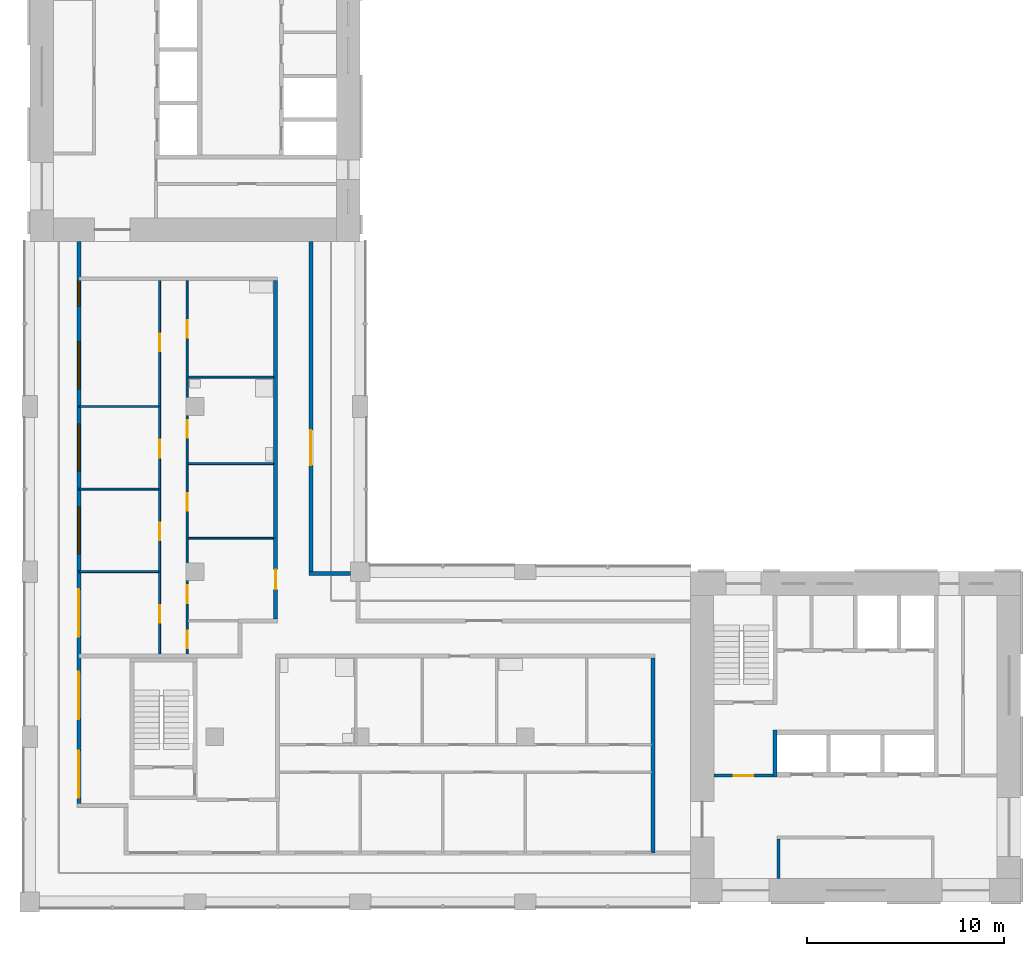
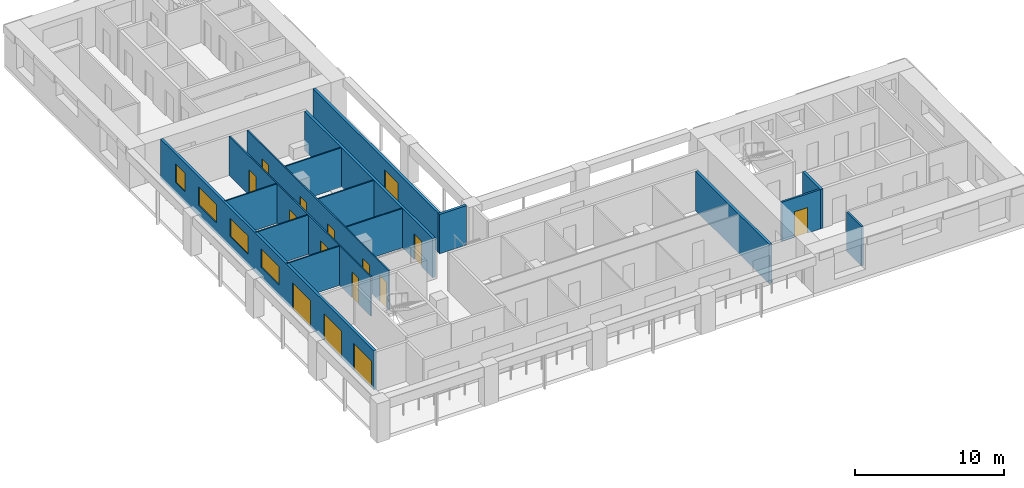
# One storey, part 3 of 9: 16 walls, 15 doors, 4 windows, 19 openings.
"""IFC4 building model written with IfcOpenShell, lengths in metres."""

from ifc_helpers import new_model, si_unit, direction, frame, frame_2d, origin, place, context, subcontext, project, spatial, rectangle, extrude, material, layer, layer_set, type_object, element, fill, save


model = new_model("IFC4")

# Units and contexts
model_context = context("Model", 3, precision=1e-05, world=origin(), true_north=direction((0.0, 1.0)))
body_context = subcontext(model_context, "Body", "Model", "MODEL_VIEW")
ifc_project = project(units=[si_unit("LENGTHUNIT", "METRE"), si_unit("AREAUNIT", "SQUARE_METRE"), si_unit("VOLUMEUNIT", "CUBIC_METRE"), si_unit("PLANEANGLEUNIT", "RADIAN"), si_unit("MASSUNIT", "GRAM", prefix="KILO")], contexts=[model_context])

# Site, building, storey
site_placement = place(None, origin())
site = spatial("IfcSite", under=ifc_project, at=site_placement, CompositionType="ELEMENT")
building_placement = place(site_placement, origin())
building = spatial("IfcBuilding", under=site, at=building_placement, Name="Vermilion Gate Residences", CompositionType="ELEMENT")
storey_placement = place(building_placement, frame((0.0, 0.0, 245.699951171875)))
storey = spatial("IfcBuildingStorey", under=building, at=storey_placement, Name="L64", CompositionType="ELEMENT", Elevation=245.699951171875)

# Wall
ifc_material_1 = material(Name="Masonry blockwork", Category="masonry")
ifc_layer_1 = layer(ifc_material_1, 0.14990234375)
ifc_layer_set_1 = layer_set([ifc_layer_1], Name="BLOCKWORK PARTITION 150 EI 120")
wall_type_1 = type_object("IfcWallType", Name="BLOCKWORK PARTITION 150 EI 120", PredefinedType="PARTITIONING", material=ifc_layer_set_1)
wall_1_placement = place(storey_placement, frame((46.47509765625, 9.60009765625, 0.0), z_axis=(0.0, 0.0, 1.0), x_axis=(0.0, 1.0, 0.0)))
element("IfcWall", 1, at=wall_1_placement, inside=storey, type_object=wall_type_1, Name="Core room partition A64-RW-W", PredefinedType="PARTITIONING", context=body_context, shape_type="SweptSolid", body=[
    extrude(rectangle(XDim=2.0, YDim=0.14990234375, at=frame_2d((1.0, 0.0))), origin(), (0.0, 0.0, 1.0), 3.219970703125),
])

# Wall, opening, door
wall_2_placement = place(storey_placement, frame((43.199951171875, 14.824951171875, 0.0), z_axis=(0.0, 0.0, 1.0), x_axis=(1.0, 0.0, 0.0)))
wall_2 = element("IfcWall", 2, at=wall_2_placement, inside=storey, type_object=wall_type_1, Name="Core room partition A64-VW-S", PredefinedType="PARTITIONING", context=body_context, shape_type="SweptSolid", body=[
    extrude(rectangle(XDim=3.0, YDim=0.14990234375, at=frame_2d((1.5, 0.0))), origin(), (0.0, 0.0, 1.0), 3.219970703125),
])
opening_1_placement = place(wall_2_placement, frame((1.0, 0.0, 0.0)))
opening_1 = element("IfcOpeningElement", 3, at=opening_1_placement, cuts=wall_2, Name="Opening DK64010", PredefinedType="OPENING", context=body_context, shape_type="SweptSolid", body=[
    extrude(rectangle(XDim=1.0, YDim=2.10009765625, at=frame_2d((0.5, 1.050048828125))), frame((0.0, 0.0849609375, 0.0), z_axis=(0.0, -1.0, 0.0), x_axis=(1.0, 0.0, 0.0)), (0.0, 0.0, 1.0), 0.169921875),
])
ifc_material_2 = material(Name="Steel", Category="steel")
door_type_1 = type_object("IfcDoorType", Name="FIRE DOOR FD60 1000 X 2100", OperationType="SINGLE_SWING_LEFT", PredefinedType="DOOR", material=ifc_material_2)
door_1_placement = place(opening_1_placement, frame((1.0, 0.0, 0.0), z_axis=(0.0, 0.0, 1.0), x_axis=(-1.0, 0.0, 0.0)))
door_1 = element("IfcDoor", 4, at=door_1_placement, inside=storey, type_object=door_type_1, Name="Stair vestibule door A64", OperationType="SINGLE_SWING_RIGHT", OverallHeight=2.10009765625, OverallWidth=1.0, PredefinedType="DOOR", context=body_context, shape_type="SweptSolid", body=[
    extrude(rectangle(XDim=1.0, YDim=2.10009765625, at=frame_2d((0.5, 1.050048828125))), frame((0.0, 0.02490234375, 0.0), z_axis=(0.0, -1.0, 0.0), x_axis=(1.0, 0.0, 0.0)), (0.0, 0.0, 1.0), 0.050048828125),
])
fill(opening_1, door_1)

# Wall, openings, doors, windows
ifc_material_3 = material(Name="Insulated steel stud wall with terracotta rainscreen", Category="masonry")
ifc_layer_2 = layer(ifc_material_3, 0.199951171875)
ifc_layer_set_2 = layer_set([ifc_layer_2], Name="EXTERNAL WALL 200 TERRACOTTA RAINSCREEN")
wall_type_2 = type_object("IfcWallType", Name="EXTERNAL WALL 200 TERRACOTTA RAINSCREEN", PredefinedType="SOLIDWALL", material=ifc_layer_set_2)
wall_3_placement = place(storey_placement, frame((10.89990234375, 42.0, 0.0), z_axis=(0.0, 0.0, 1.0), x_axis=(0.0, -1.0, 0.0)))
wall_3 = element("IfcWall", 5, at=wall_3_placement, inside=storey, type_object=wall_type_2, Name="External wall", PredefinedType="SOLIDWALL", context=body_context, shape_type="SweptSolid", body=[
    extrude(rectangle(XDim=28.60009765625, YDim=0.199951171875, at=frame_2d((14.300048828125, 0.0))), origin(), (0.0, 0.0, 1.0), 3.219970703125),
])
opening_2_placement = place(wall_3_placement, frame((25.89990234375, 0.0, 0.0)))
opening_2 = element("IfcOpeningElement", 6, at=opening_2_placement, cuts=wall_3, Name="Opening DE64001", PredefinedType="OPENING", context=body_context, shape_type="SweptSolid", body=[
    extrude(rectangle(XDim=2.39990234375, YDim=2.199951171875, at=frame_2d((1.199951171875, 1.10009765625))), frame((0.0, 0.10986328125, 0.0), z_axis=(0.0, -1.0, 0.0), x_axis=(1.0, 0.0, 0.0)), (0.0, 0.0, 1.0), 0.219970703125),
])
opening_3_placement = place(wall_3_placement, frame((21.89990234375, 0.0, 0.0)))
opening_3 = element("IfcOpeningElement", 7, at=opening_3_placement, cuts=wall_3, Name="Opening DE64002", PredefinedType="OPENING", context=body_context, shape_type="SweptSolid", body=[
    extrude(rectangle(XDim=2.39990234375, YDim=2.199951171875, at=frame_2d((1.199951171875, 1.10009765625))), frame((0.0, 0.10986328125, 0.0), z_axis=(0.0, -1.0, 0.0), x_axis=(1.0, 0.0, 0.0)), (0.0, 0.0, 1.0), 0.219970703125),
])
opening_4_placement = place(wall_3_placement, frame((17.699951171875, 0.0, 0.0)))
opening_4 = element("IfcOpeningElement", 8, at=opening_4_placement, cuts=wall_3, Name="Opening DE64003", PredefinedType="OPENING", context=body_context, shape_type="SweptSolid", body=[
    extrude(rectangle(XDim=2.39990234375, YDim=2.199951171875, at=frame_2d((1.199951171875, 1.10009765625))), frame((0.0, 0.10986328125, 0.0), z_axis=(0.0, -1.0, 0.0), x_axis=(1.0, 0.0, 0.0)), (0.0, 0.0, 1.0), 0.219970703125),
])
opening_5_placement = place(wall_3_placement, frame((13.5, 0.0, 0.89990234375)))
opening_5 = element("IfcOpeningElement", 9, at=opening_5_placement, cuts=wall_3, Name="Opening WE64004", PredefinedType="OPENING", context=body_context, shape_type="SweptSolid", body=[
    extrude(rectangle(XDim=2.39990234375, YDim=1.5, at=frame_2d((1.199951171875, 0.75))), frame((0.0, 0.10986328125, 0.0), z_axis=(0.0, -1.0, 0.0), x_axis=(1.0, 0.0, 0.0)), (0.0, 0.0, 1.0), 0.219970703125),
])
opening_6_placement = place(wall_3_placement, frame((9.300048828125, 0.0, 0.89990234375)))
opening_6 = element("IfcOpeningElement", 10, at=opening_6_placement, cuts=wall_3, Name="Opening WE64005", PredefinedType="OPENING", context=body_context, shape_type="SweptSolid", body=[
    extrude(rectangle(XDim=2.39990234375, YDim=1.5, at=frame_2d((1.199951171875, 0.75))), frame((0.0, 0.10986328125, 0.0), z_axis=(0.0, -1.0, 0.0), x_axis=(1.0, 0.0, 0.0)), (0.0, 0.0, 1.0), 0.219970703125),
])
opening_7_placement = place(wall_3_placement, frame((5.10009765625, 0.0, 0.89990234375)))
opening_7 = element("IfcOpeningElement", 11, at=opening_7_placement, cuts=wall_3, Name="Opening WE64006", PredefinedType="OPENING", context=body_context, shape_type="SweptSolid", body=[
    extrude(rectangle(XDim=2.39990234375, YDim=1.5, at=frame_2d((1.199951171875, 0.75))), frame((0.0, 0.10986328125, 0.0), z_axis=(0.0, -1.0, 0.0), x_axis=(1.0, 0.0, 0.0)), (0.0, 0.0, 1.0), 0.219970703125),
])
opening_8_placement = place(wall_3_placement, frame((2.0, 0.0, 0.89990234375)))
opening_8 = element("IfcOpeningElement", 12, at=opening_8_placement, cuts=wall_3, Name="Opening WE64007", PredefinedType="OPENING", context=body_context, shape_type="SweptSolid", body=[
    extrude(rectangle(XDim=1.300048828125, YDim=1.5, at=frame_2d((0.64990234375, 0.75))), frame((0.0, 0.10986328125, 0.0), z_axis=(0.0, -1.0, 0.0), x_axis=(1.0, 0.0, 0.0)), (0.0, 0.0, 1.0), 0.219970703125),
])
ifc_material_4 = material(Name="Aluminium and clear glass", Category="aluminium")
door_type_2 = type_object("IfcDoorType", Name="SLIDING GLAZED DOOR 2400 X 2200", OperationType="DOUBLE_DOOR_SLIDING", PredefinedType="DOOR", material=ifc_material_4)
door_2_placement = place(opening_2_placement, origin())
door_2 = element("IfcDoor", 13, at=door_2_placement, inside=storey, type_object=door_type_2, Name="Loggia sliding door", OperationType="DOUBLE_DOOR_SLIDING", OverallHeight=2.199951171875, OverallWidth=2.39990234375, PredefinedType="DOOR", context=body_context, shape_type="SweptSolid", body=[
    extrude(rectangle(XDim=2.39990234375, YDim=2.199951171875, at=frame_2d((1.199951171875, 1.10009765625))), frame((0.0, 0.02490234375, 0.0), z_axis=(0.0, -1.0, 0.0), x_axis=(1.0, 0.0, 0.0)), (0.0, 0.0, 1.0), 0.050048828125),
])
fill(opening_2, door_2)
door_3_placement = place(opening_3_placement, origin())
door_3 = element("IfcDoor", 14, at=door_3_placement, inside=storey, type_object=door_type_2, Name="Loggia sliding door", OperationType="DOUBLE_DOOR_SLIDING", OverallHeight=2.199951171875, OverallWidth=2.39990234375, PredefinedType="DOOR", context=body_context, shape_type="SweptSolid", body=[
    extrude(rectangle(XDim=2.39990234375, YDim=2.199951171875, at=frame_2d((1.199951171875, 1.10009765625))), frame((0.0, 0.02490234375, 0.0), z_axis=(0.0, -1.0, 0.0), x_axis=(1.0, 0.0, 0.0)), (0.0, 0.0, 1.0), 0.050048828125),
])
fill(opening_3, door_3)
door_4_placement = place(opening_4_placement, origin())
door_4 = element("IfcDoor", 15, at=door_4_placement, inside=storey, type_object=door_type_2, Name="Loggia sliding door", OperationType="DOUBLE_DOOR_SLIDING", OverallHeight=2.199951171875, OverallWidth=2.39990234375, PredefinedType="DOOR", context=body_context, shape_type="SweptSolid", body=[
    extrude(rectangle(XDim=2.39990234375, YDim=2.199951171875, at=frame_2d((1.199951171875, 1.10009765625))), frame((0.0, 0.02490234375, 0.0), z_axis=(0.0, -1.0, 0.0), x_axis=(1.0, 0.0, 0.0)), (0.0, 0.0, 1.0), 0.050048828125),
])
fill(opening_4, door_4)
ifc_material_5 = material(Name="Aluminium and clear glass", Category="aluminium")
window_type_1 = type_object("IfcWindowType", Name="WINDOW 1300 X 1500", PartitioningType="SINGLE_PANEL", PredefinedType="WINDOW", material=ifc_material_5)
window_1_placement = place(opening_8_placement, origin())
window_1 = element("IfcWindow", 16, at=window_1_placement, inside=storey, type_object=window_type_1, Name="Window", OverallHeight=1.5, OverallWidth=1.300048828125, PartitioningType="SINGLE_PANEL", PredefinedType="WINDOW", context=body_context, shape_type="SweptSolid", body=[
    extrude(rectangle(XDim=1.300048828125, YDim=1.5, at=frame_2d((0.64990234375, 0.75))), frame((0.0, 0.030029296875, 0.0), z_axis=(0.0, -1.0, 0.0), x_axis=(1.0, 0.0, 0.0)), (0.0, 0.0, 1.0), 0.06005859375),
])
fill(opening_8, window_1)
ifc_material_6 = material(Name="Aluminium and clear glass", Category="aluminium")
window_type_2 = type_object("IfcWindowType", Name="WINDOW 2400 X 1500", PartitioningType="SINGLE_PANEL", PredefinedType="WINDOW", material=ifc_material_6)
window_2_placement = place(opening_5_placement, origin())
window_2 = element("IfcWindow", 17, at=window_2_placement, inside=storey, type_object=window_type_2, Name="Window", OverallHeight=1.5, OverallWidth=2.39990234375, PartitioningType="SINGLE_PANEL", PredefinedType="WINDOW", context=body_context, shape_type="SweptSolid", body=[
    extrude(rectangle(XDim=2.39990234375, YDim=1.5, at=frame_2d((1.199951171875, 0.75))), frame((0.0, 0.030029296875, 0.0), z_axis=(0.0, -1.0, 0.0), x_axis=(1.0, 0.0, 0.0)), (0.0, 0.0, 1.0), 0.06005859375),
])
fill(opening_5, window_2)
window_3_placement = place(opening_6_placement, origin())
window_3 = element("IfcWindow", 18, at=window_3_placement, inside=storey, type_object=window_type_2, Name="Window", OverallHeight=1.5, OverallWidth=2.39990234375, PartitioningType="SINGLE_PANEL", PredefinedType="WINDOW", context=body_context, shape_type="SweptSolid", body=[
    extrude(rectangle(XDim=2.39990234375, YDim=1.5, at=frame_2d((1.199951171875, 0.75))), frame((0.0, 0.030029296875, 0.0), z_axis=(0.0, -1.0, 0.0), x_axis=(1.0, 0.0, 0.0)), (0.0, 0.0, 1.0), 0.06005859375),
])
fill(opening_6, window_3)
window_4_placement = place(opening_7_placement, origin())
window_4 = element("IfcWindow", 19, at=window_4_placement, inside=storey, type_object=window_type_2, Name="Window", OverallHeight=1.5, OverallWidth=2.39990234375, PartitioningType="SINGLE_PANEL", PredefinedType="WINDOW", context=body_context, shape_type="SweptSolid", body=[
    extrude(rectangle(XDim=2.39990234375, YDim=1.5, at=frame_2d((1.199951171875, 0.75))), frame((0.0, 0.030029296875, 0.0), z_axis=(0.0, -1.0, 0.0), x_axis=(1.0, 0.0, 0.0)), (0.0, 0.0, 1.0), 0.06005859375),
])
fill(opening_7, window_4)

# Wall
wall_4_placement = place(storey_placement, frame((24.699951171875, 25.10009765625, 0.0), z_axis=(0.0, 0.0, 1.0), x_axis=(-1.0, 0.0, 0.0)))
element("IfcWall", 20, at=wall_4_placement, inside=storey, type_object=wall_type_2, Name="External wall", PredefinedType="SOLIDWALL", context=body_context, shape_type="SweptSolid", body=[
    extrude(rectangle(XDim=2.099853515625, YDim=0.199951171875, at=frame_2d((1.0498046875, 0.0))), origin(), (0.0, 0.0, 1.0), 3.219970703125),
])

# Wall, opening, door
wall_5_placement = place(storey_placement, frame((22.699951171875, 25.199951171875, 0.0), z_axis=(0.0, 0.0, 1.0), x_axis=(0.0, 1.0, 0.0)))
wall_5 = element("IfcWall", 21, at=wall_5_placement, inside=storey, type_object=wall_type_2, Name="External wall", PredefinedType="SOLIDWALL", context=body_context, shape_type="SweptSolid", body=[
    extrude(rectangle(XDim=16.800048828125, YDim=0.199951171875, at=frame_2d((8.39990234375, 0.0))), origin(), (0.0, 0.0, 1.0), 3.219970703125),
])
opening_9_placement = place(wall_5_placement, frame((5.39990234375, 0.0, 0.0)))
opening_9 = element("IfcOpeningElement", 22, at=opening_9_placement, cuts=wall_5, Name="Opening DE64016", PredefinedType="OPENING", context=body_context, shape_type="SweptSolid", body=[
    extrude(rectangle(XDim=1.800048828125, YDim=2.39990234375, at=frame_2d((0.89990234375, 1.199951171875))), frame((0.0, 0.10986328125, 0.0), z_axis=(0.0, -1.0, 0.0), x_axis=(1.0, 0.0, 0.0)), (0.0, 0.0, 1.0), 0.219970703125),
])
ifc_material_7 = material(Name="Aluminium and clear glass", Category="aluminium")
door_type_3 = type_object("IfcDoorType", Name="GLAZED EXTERNAL DOOR 1800 X 2400", OperationType="DOUBLE_DOOR_SINGLE_SWING", PredefinedType="DOOR", material=ifc_material_7)
door_5_placement = place(opening_9_placement, frame((1.800048828125, 0.0, 0.0), z_axis=(0.0, 0.0, 1.0), x_axis=(-1.0, 0.0, 0.0)))
door_5 = element("IfcDoor", 23, at=door_5_placement, inside=storey, type_object=door_type_3, Name="Gallery door", OperationType="DOUBLE_DOOR_SINGLE_SWING", OverallHeight=2.39990234375, OverallWidth=1.800048828125, PredefinedType="DOOR", context=body_context, shape_type="SweptSolid", body=[
    extrude(rectangle(XDim=1.800048828125, YDim=2.39990234375, at=frame_2d((0.89990234375, 1.199951171875))), frame((0.0, 0.02490234375, 0.0), z_axis=(0.0, -1.0, 0.0), x_axis=(1.0, 0.0, 0.0)), (0.0, 0.0, 1.0), 0.050048828125),
])
fill(opening_9, door_5)

# Walls
ifc_material_8 = material(Name="Plasterboard on steel studs", Category="steel")
ifc_layer_3 = layer(ifc_material_8, 0.10009765625)
ifc_layer_set_3 = layer_set([ifc_layer_3], Name="PARTITION 100")
wall_type_3 = type_object("IfcWallType", Name="PARTITION 100", PredefinedType="PARTITIONING", material=ifc_layer_set_3)
wall_6_placement = place(storey_placement, frame((10.89990234375, 25.199951171875, 0.0), z_axis=(0.0, 0.0, 1.0), x_axis=(1.0, 0.0, 0.0)))
element("IfcWall", 24, at=wall_6_placement, inside=storey, type_object=wall_type_3, Name="Partition", PredefinedType="PARTITIONING", context=body_context, shape_type="SweptSolid", body=[
    extrude(rectangle(XDim=4.050048828125, YDim=0.10009765625, at=frame_2d((2.02490234375, 0.0))), origin(), (0.0, 0.0, 1.0), 3.219970703125),
])
wall_7_placement = place(storey_placement, frame((16.449951171875, 26.89990234375, 0.0), z_axis=(0.0, 0.0, 1.0), x_axis=(1.0, 0.0, 0.0)))
element("IfcWall", 25, at=wall_7_placement, inside=storey, type_object=wall_type_3, Name="Partition", PredefinedType="PARTITIONING", context=body_context, shape_type="SweptSolid", body=[
    extrude(rectangle(XDim=4.35009765625, YDim=0.10009765625, at=frame_2d((2.175048828125, 0.0))), origin(), (0.0, 0.0, 1.0), 3.219970703125),
])
wall_8_placement = place(storey_placement, frame((10.89990234375, 29.39990234375, 0.0), z_axis=(0.0, 0.0, 1.0), x_axis=(1.0, 0.0, 0.0)))
element("IfcWall", 26, at=wall_8_placement, inside=storey, type_object=wall_type_3, Name="Partition", PredefinedType="PARTITIONING", context=body_context, shape_type="SweptSolid", body=[
    extrude(rectangle(XDim=4.050048828125, YDim=0.10009765625, at=frame_2d((2.02490234375, 0.0))), origin(), (0.0, 0.0, 1.0), 3.219970703125),
])
wall_9_placement = place(storey_placement, frame((16.449951171875, 30.699951171875, 0.0), z_axis=(0.0, 0.0, 1.0), x_axis=(1.0, 0.0, 0.0)))
element("IfcWall", 27, at=wall_9_placement, inside=storey, type_object=wall_type_3, Name="Partition", PredefinedType="PARTITIONING", context=body_context, shape_type="SweptSolid", body=[
    extrude(rectangle(XDim=4.35009765625, YDim=0.10009765625, at=frame_2d((2.175048828125, 0.0))), origin(), (0.0, 0.0, 1.0), 3.219970703125),
])
wall_10_placement = place(storey_placement, frame((10.89990234375, 33.60009765625, 0.0), z_axis=(0.0, 0.0, 1.0), x_axis=(1.0, 0.0, 0.0)))
element("IfcWall", 28, at=wall_10_placement, inside=storey, type_object=wall_type_3, Name="Partition", PredefinedType="PARTITIONING", context=body_context, shape_type="SweptSolid", body=[
    extrude(rectangle(XDim=4.050048828125, YDim=0.10009765625, at=frame_2d((2.02490234375, 0.0))), origin(), (0.0, 0.0, 1.0), 3.219970703125),
])
wall_11_placement = place(storey_placement, frame((16.449951171875, 35.10009765625, 0.0), z_axis=(0.0, 0.0, 1.0), x_axis=(1.0, 0.0, 0.0)))
element("IfcWall", 29, at=wall_11_placement, inside=storey, type_object=wall_type_3, Name="Partition", PredefinedType="PARTITIONING", context=body_context, shape_type="SweptSolid", body=[
    extrude(rectangle(XDim=4.35009765625, YDim=0.10009765625, at=frame_2d((2.175048828125, 0.0))), origin(), (0.0, 0.0, 1.0), 3.219970703125),
])

# Wall, openings, doors
wall_12_placement = place(storey_placement, frame((15.0, 21.0, 0.0), z_axis=(0.0, 0.0, 1.0), x_axis=(0.0, 1.0, 0.0)))
wall_12 = element("IfcWall", 30, at=wall_12_placement, inside=storey, type_object=wall_type_3, Name="Partition", PredefinedType="PARTITIONING", context=body_context, shape_type="SweptSolid", body=[
    extrude(rectangle(XDim=19.0, YDim=0.10009765625, at=frame_2d((9.5, 0.0))), origin(), (0.0, 0.0, 1.0), 3.219970703125),
])
opening_10_placement = place(wall_12_placement, frame((1.60009765625, 0.0, 0.0)))
opening_10 = element("IfcOpeningElement", 31, at=opening_10_placement, cuts=wall_12, Name="Opening DA64012", PredefinedType="OPENING", context=body_context, shape_type="SweptSolid", body=[
    extrude(rectangle(XDim=0.89990234375, YDim=2.10009765625, at=frame_2d((0.449951171875, 1.050048828125))), frame((0.0, 0.06005859375, 0.0), z_axis=(0.0, -1.0, 0.0), x_axis=(1.0, 0.0, 0.0)), (0.0, 0.0, 1.0), 0.1201171875),
])
opening_11_placement = place(wall_12_placement, frame((5.800048828125, 0.0, 0.0)))
opening_11 = element("IfcOpeningElement", 32, at=opening_11_placement, cuts=wall_12, Name="Opening DA64013", PredefinedType="OPENING", context=body_context, shape_type="SweptSolid", body=[
    extrude(rectangle(XDim=0.89990234375, YDim=2.10009765625, at=frame_2d((0.449951171875, 1.050048828125))), frame((0.0, 0.06005859375, 0.0), z_axis=(0.0, -1.0, 0.0), x_axis=(1.0, 0.0, 0.0)), (0.0, 0.0, 1.0), 0.1201171875),
])
opening_12_placement = place(wall_12_placement, frame((10.0, 0.0, 0.0)))
opening_12 = element("IfcOpeningElement", 33, at=opening_12_placement, cuts=wall_12, Name="Opening DA64014", PredefinedType="OPENING", context=body_context, shape_type="SweptSolid", body=[
    extrude(rectangle(XDim=0.89990234375, YDim=2.10009765625, at=frame_2d((0.449951171875, 1.050048828125))), frame((0.0, 0.06005859375, 0.0), z_axis=(0.0, -1.0, 0.0), x_axis=(1.0, 0.0, 0.0)), (0.0, 0.0, 1.0), 0.1201171875),
])
opening_13_placement = place(wall_12_placement, frame((15.39990234375, 0.0, 0.0)))
opening_13 = element("IfcOpeningElement", 34, at=opening_13_placement, cuts=wall_12, Name="Opening DA64015", PredefinedType="OPENING", context=body_context, shape_type="SweptSolid", body=[
    extrude(rectangle(XDim=0.89990234375, YDim=2.10009765625, at=frame_2d((0.449951171875, 1.050048828125))), frame((0.0, 0.06005859375, 0.0), z_axis=(0.0, -1.0, 0.0), x_axis=(1.0, 0.0, 0.0)), (0.0, 0.0, 1.0), 0.1201171875),
])
ifc_material_9 = material(Name="Timber", Category="wood")
door_type_4 = type_object("IfcDoorType", Name="INTERIOR DOOR 900 X 2100", OperationType="SINGLE_SWING_LEFT", PredefinedType="DOOR", material=ifc_material_9)
door_6_placement = place(opening_10_placement, origin())
door_6 = element("IfcDoor", 35, at=door_6_placement, inside=storey, type_object=door_type_4, Name="Interior door", OperationType="SINGLE_SWING_LEFT", OverallHeight=2.10009765625, OverallWidth=0.89990234375, PredefinedType="DOOR", context=body_context, shape_type="SweptSolid", body=[
    extrude(rectangle(XDim=0.89990234375, YDim=2.10009765625, at=frame_2d((0.449951171875, 1.050048828125))), frame((0.0, 0.02490234375, 0.0), z_axis=(0.0, -1.0, 0.0), x_axis=(1.0, 0.0, 0.0)), (0.0, 0.0, 1.0), 0.050048828125),
])
fill(opening_10, door_6)
door_7_placement = place(opening_11_placement, origin())
door_7 = element("IfcDoor", 36, at=door_7_placement, inside=storey, type_object=door_type_4, Name="Interior door", OperationType="SINGLE_SWING_LEFT", OverallHeight=2.10009765625, OverallWidth=0.89990234375, PredefinedType="DOOR", context=body_context, shape_type="SweptSolid", body=[
    extrude(rectangle(XDim=0.89990234375, YDim=2.10009765625, at=frame_2d((0.449951171875, 1.050048828125))), frame((0.0, 0.02490234375, 0.0), z_axis=(0.0, -1.0, 0.0), x_axis=(1.0, 0.0, 0.0)), (0.0, 0.0, 1.0), 0.050048828125),
])
fill(opening_11, door_7)
door_8_placement = place(opening_12_placement, origin())
door_8 = element("IfcDoor", 37, at=door_8_placement, inside=storey, type_object=door_type_4, Name="Interior door", OperationType="SINGLE_SWING_LEFT", OverallHeight=2.10009765625, OverallWidth=0.89990234375, PredefinedType="DOOR", context=body_context, shape_type="SweptSolid", body=[
    extrude(rectangle(XDim=0.89990234375, YDim=2.10009765625, at=frame_2d((0.449951171875, 1.050048828125))), frame((0.0, 0.02490234375, 0.0), z_axis=(0.0, -1.0, 0.0), x_axis=(1.0, 0.0, 0.0)), (0.0, 0.0, 1.0), 0.050048828125),
])
fill(opening_12, door_8)
door_9_placement = place(opening_13_placement, origin())
door_9 = element("IfcDoor", 38, at=door_9_placement, inside=storey, type_object=door_type_4, Name="Interior door", OperationType="SINGLE_SWING_RIGHT", OverallHeight=2.10009765625, OverallWidth=0.89990234375, PredefinedType="DOOR", context=body_context, shape_type="SweptSolid", body=[
    extrude(rectangle(XDim=0.89990234375, YDim=2.10009765625, at=frame_2d((0.449951171875, 1.050048828125))), frame((0.0, 0.02490234375, 0.0), z_axis=(0.0, -1.0, 0.0), x_axis=(1.0, 0.0, 0.0)), (0.0, 0.0, 1.0), 0.050048828125),
])
fill(opening_13, door_9)

wall_13_placement = place(storey_placement, frame((16.39990234375, 21.0, 0.0), z_axis=(0.0, 0.0, 1.0), x_axis=(0.0, 1.0, 0.0)))
wall_13 = element("IfcWall", 39, at=wall_13_placement, inside=storey, type_object=wall_type_3, Name="Partition", PredefinedType="PARTITIONING", context=body_context, shape_type="SweptSolid", body=[
    extrude(rectangle(XDim=19.0, YDim=0.10009765625, at=frame_2d((9.5, 0.0))), origin(), (0.0, 0.0, 1.0), 3.219970703125),
])
opening_14_placement = place(wall_13_placement, frame((2.60009765625, 0.0, 0.0)))
opening_14 = element("IfcOpeningElement", 40, at=opening_14_placement, cuts=wall_13, Name="Opening DA64016", PredefinedType="OPENING", context=body_context, shape_type="SweptSolid", body=[
    extrude(rectangle(XDim=0.89990234375, YDim=2.10009765625, at=frame_2d((0.449951171875, 1.050048828125))), frame((0.0, 0.06005859375, 0.0), z_axis=(0.0, -1.0, 0.0), x_axis=(1.0, 0.0, 0.0)), (0.0, 0.0, 1.0), 0.1201171875),
])
opening_15_placement = place(wall_13_placement, frame((0.300048828125, 0.0, 0.0)))
opening_15 = element("IfcOpeningElement", 41, at=opening_15_placement, cuts=wall_13, Name="Opening DA64017", PredefinedType="OPENING", context=body_context, shape_type="SweptSolid", body=[
    extrude(rectangle(XDim=0.89990234375, YDim=2.10009765625, at=frame_2d((0.449951171875, 1.050048828125))), frame((0.0, 0.06005859375, 0.0), z_axis=(0.0, -1.0, 0.0), x_axis=(1.0, 0.0, 0.0)), (0.0, 0.0, 1.0), 0.1201171875),
])
opening_16_placement = place(wall_13_placement, frame((7.300048828125, 0.0, 0.0)))
opening_16 = element("IfcOpeningElement", 42, at=opening_16_placement, cuts=wall_13, Name="Opening DA64018", PredefinedType="OPENING", context=body_context, shape_type="SweptSolid", body=[
    extrude(rectangle(XDim=0.89990234375, YDim=2.10009765625, at=frame_2d((0.449951171875, 1.050048828125))), frame((0.0, 0.06005859375, 0.0), z_axis=(0.0, -1.0, 0.0), x_axis=(1.0, 0.0, 0.0)), (0.0, 0.0, 1.0), 0.1201171875),
])
opening_17_placement = place(wall_13_placement, frame((11.0, 0.0, 0.0)))
opening_17 = element("IfcOpeningElement", 43, at=opening_17_placement, cuts=wall_13, Name="Opening DA64019", PredefinedType="OPENING", context=body_context, shape_type="SweptSolid", body=[
    extrude(rectangle(XDim=0.89990234375, YDim=2.10009765625, at=frame_2d((0.449951171875, 1.050048828125))), frame((0.0, 0.06005859375, 0.0), z_axis=(0.0, -1.0, 0.0), x_axis=(1.0, 0.0, 0.0)), (0.0, 0.0, 1.0), 0.1201171875),
])
opening_18_placement = place(wall_13_placement, frame((16.10009765625, 0.0, 0.0)))
opening_18 = element("IfcOpeningElement", 44, at=opening_18_placement, cuts=wall_13, Name="Opening DA64020", PredefinedType="OPENING", context=body_context, shape_type="SweptSolid", body=[
    extrude(rectangle(XDim=0.89990234375, YDim=2.10009765625, at=frame_2d((0.449951171875, 1.050048828125))), frame((0.0, 0.06005859375, 0.0), z_axis=(0.0, -1.0, 0.0), x_axis=(1.0, 0.0, 0.0)), (0.0, 0.0, 1.0), 0.1201171875),
])
door_10_placement = place(opening_14_placement, frame((0.89990234375, 0.0, 0.0), z_axis=(0.0, 0.0, 1.0), x_axis=(-1.0, 0.0, 0.0)))
door_10 = element("IfcDoor", 45, at=door_10_placement, inside=storey, type_object=door_type_4, Name="Interior door", OperationType="SINGLE_SWING_LEFT", OverallHeight=2.10009765625, OverallWidth=0.89990234375, PredefinedType="DOOR", context=body_context, shape_type="SweptSolid", body=[
    extrude(rectangle(XDim=0.89990234375, YDim=2.10009765625, at=frame_2d((0.449951171875, 1.050048828125))), frame((0.0, 0.02490234375, 0.0), z_axis=(0.0, -1.0, 0.0), x_axis=(1.0, 0.0, 0.0)), (0.0, 0.0, 1.0), 0.050048828125),
])
fill(opening_14, door_10)
door_11_placement = place(opening_15_placement, frame((0.89990234375, 0.0, 0.0), z_axis=(0.0, 0.0, 1.0), x_axis=(-1.0, 0.0, 0.0)))
door_11 = element("IfcDoor", 46, at=door_11_placement, inside=storey, type_object=door_type_4, Name="Interior door", OperationType="SINGLE_SWING_RIGHT", OverallHeight=2.10009765625, OverallWidth=0.89990234375, PredefinedType="DOOR", context=body_context, shape_type="SweptSolid", body=[
    extrude(rectangle(XDim=0.89990234375, YDim=2.10009765625, at=frame_2d((0.449951171875, 1.050048828125))), frame((0.0, 0.02490234375, 0.0), z_axis=(0.0, -1.0, 0.0), x_axis=(1.0, 0.0, 0.0)), (0.0, 0.0, 1.0), 0.050048828125),
])
fill(opening_15, door_11)
door_12_placement = place(opening_16_placement, frame((0.89990234375, 0.0, 0.0), z_axis=(0.0, 0.0, 1.0), x_axis=(-1.0, 0.0, 0.0)))
door_12 = element("IfcDoor", 47, at=door_12_placement, inside=storey, type_object=door_type_4, Name="Interior door", OperationType="SINGLE_SWING_RIGHT", OverallHeight=2.10009765625, OverallWidth=0.89990234375, PredefinedType="DOOR", context=body_context, shape_type="SweptSolid", body=[
    extrude(rectangle(XDim=0.89990234375, YDim=2.10009765625, at=frame_2d((0.449951171875, 1.050048828125))), frame((0.0, 0.02490234375, 0.0), z_axis=(0.0, -1.0, 0.0), x_axis=(1.0, 0.0, 0.0)), (0.0, 0.0, 1.0), 0.050048828125),
])
fill(opening_16, door_12)
door_13_placement = place(opening_17_placement, frame((0.89990234375, 0.0, 0.0), z_axis=(0.0, 0.0, 1.0), x_axis=(-1.0, 0.0, 0.0)))
door_13 = element("IfcDoor", 48, at=door_13_placement, inside=storey, type_object=door_type_4, Name="Interior door", OperationType="SINGLE_SWING_LEFT", OverallHeight=2.10009765625, OverallWidth=0.89990234375, PredefinedType="DOOR", context=body_context, shape_type="SweptSolid", body=[
    extrude(rectangle(XDim=0.89990234375, YDim=2.10009765625, at=frame_2d((0.449951171875, 1.050048828125))), frame((0.0, 0.02490234375, 0.0), z_axis=(0.0, -1.0, 0.0), x_axis=(1.0, 0.0, 0.0)), (0.0, 0.0, 1.0), 0.050048828125),
])
fill(opening_17, door_13)
door_14_placement = place(opening_18_placement, frame((0.89990234375, 0.0, 0.0), z_axis=(0.0, 0.0, 1.0), x_axis=(-1.0, 0.0, 0.0)))
door_14 = element("IfcDoor", 49, at=door_14_placement, inside=storey, type_object=door_type_4, Name="Interior door", OperationType="SINGLE_SWING_RIGHT", OverallHeight=2.10009765625, OverallWidth=0.89990234375, PredefinedType="DOOR", context=body_context, shape_type="SweptSolid", body=[
    extrude(rectangle(XDim=0.89990234375, YDim=2.10009765625, at=frame_2d((0.449951171875, 1.050048828125))), frame((0.0, 0.02490234375, 0.0), z_axis=(0.0, -1.0, 0.0), x_axis=(1.0, 0.0, 0.0)), (0.0, 0.0, 1.0), 0.050048828125),
])
fill(opening_18, door_14)

# Wall, opening, door
ifc_material_10 = material(Name="Fire-rated plasterboard on steel studs", Category="steel")
ifc_layer_4 = layer(ifc_material_10, 0.199951171875)
ifc_layer_set_4 = layer_set([ifc_layer_4], Name="PARTY WALL 200 EI 120")
wall_type_4 = type_object("IfcWallType", Name="PARTY WALL 200 EI 120", PredefinedType="PARTITIONING", material=ifc_layer_set_4)
wall_14_placement = place(storey_placement, frame((20.89990234375, 22.800048828125, 0.0), z_axis=(0.0, 0.0, 1.0), x_axis=(0.0, 1.0, 0.0)))
wall_14 = element("IfcWall", 50, at=wall_14_placement, inside=storey, type_object=wall_type_4, Name="Party and corridor wall", PredefinedType="PARTITIONING", context=body_context, shape_type="SweptSolid", body=[
    extrude(rectangle(XDim=17.199951171875, YDim=0.199951171875, at=frame_2d((8.60009765625, 0.0))), origin(), (0.0, 0.0, 1.0), 3.219970703125),
])
opening_19_placement = place(wall_14_placement, frame((1.5, 0.0, 0.0)))
opening_19 = element("IfcOpeningElement", 51, at=opening_19_placement, cuts=wall_14, Name="Opening DA64021", PredefinedType="OPENING", context=body_context, shape_type="SweptSolid", body=[
    extrude(rectangle(XDim=1.0, YDim=2.10009765625, at=frame_2d((0.5, 1.050048828125))), frame((0.0, 0.10986328125, 0.0), z_axis=(0.0, -1.0, 0.0), x_axis=(1.0, 0.0, 0.0)), (0.0, 0.0, 1.0), 0.219970703125),
])
ifc_material_11 = material(Name="Steel", Category="steel")
door_type_5 = type_object("IfcDoorType", Name="ENTRANCE DOOR 1000 X 2100 FD30", OperationType="SINGLE_SWING_LEFT", PredefinedType="DOOR", material=ifc_material_11)
door_15_placement = place(opening_19_placement, origin())
door_15 = element("IfcDoor", 52, at=door_15_placement, inside=storey, type_object=door_type_5, Name="Entrance door", OperationType="SINGLE_SWING_LEFT", OverallHeight=2.10009765625, OverallWidth=1.0, PredefinedType="DOOR", context=body_context, shape_type="SweptSolid", body=[
    extrude(rectangle(XDim=1.0, YDim=2.10009765625, at=frame_2d((0.5, 1.050048828125))), frame((0.0, 0.02490234375, 0.0), z_axis=(0.0, -1.0, 0.0), x_axis=(1.0, 0.0, 0.0)), (0.0, 0.0, 1.0), 0.050048828125),
])
fill(opening_19, door_15)

# Walls
wall_15_placement = place(storey_placement, frame((40.10009765625, 10.89990234375, 0.0), z_axis=(0.0, 0.0, 1.0), x_axis=(0.0, 1.0, 0.0)))
element("IfcWall", 53, at=wall_15_placement, inside=storey, type_object=wall_type_4, Name="Party and corridor wall", PredefinedType="PARTITIONING", context=body_context, shape_type="SweptSolid", body=[
    extrude(rectangle(XDim=9.900146484375, YDim=0.199951171875, at=frame_2d((4.9501953125, 0.0))), origin(), (0.0, 0.0, 1.0), 3.219970703125),
])
ifc_material_12 = material(Name="Concrete C60", Category="concrete")
ifc_layer_5 = layer(ifc_material_12, 0.199951171875)
ifc_layer_set_5 = layer_set([ifc_layer_5], Name="RC CORE INTERNAL WALL 200 C60")
wall_type_5 = type_object("IfcWallType", Name="RC CORE INTERNAL WALL 200 C60", PredefinedType="SHEAR", material=ifc_layer_set_5)
wall_16_placement = place(storey_placement, frame((46.300048828125, 14.75, 0.0), z_axis=(0.0, 0.0, 1.0), x_axis=(0.0, 1.0, 0.0)))
element("IfcWall", 54, at=wall_16_placement, inside=storey, type_object=wall_type_5, Name="Core internal wall A64-WDIV1", PredefinedType="SHEAR", context=body_context, shape_type="SweptSolid", body=[
    extrude(rectangle(XDim=2.39990234375, YDim=0.199951171875, at=frame_2d((1.199951171875, 0.0))), origin(), (0.0, 0.0, 1.0), 3.219970703125),
])

save(model, "model.ifc")
